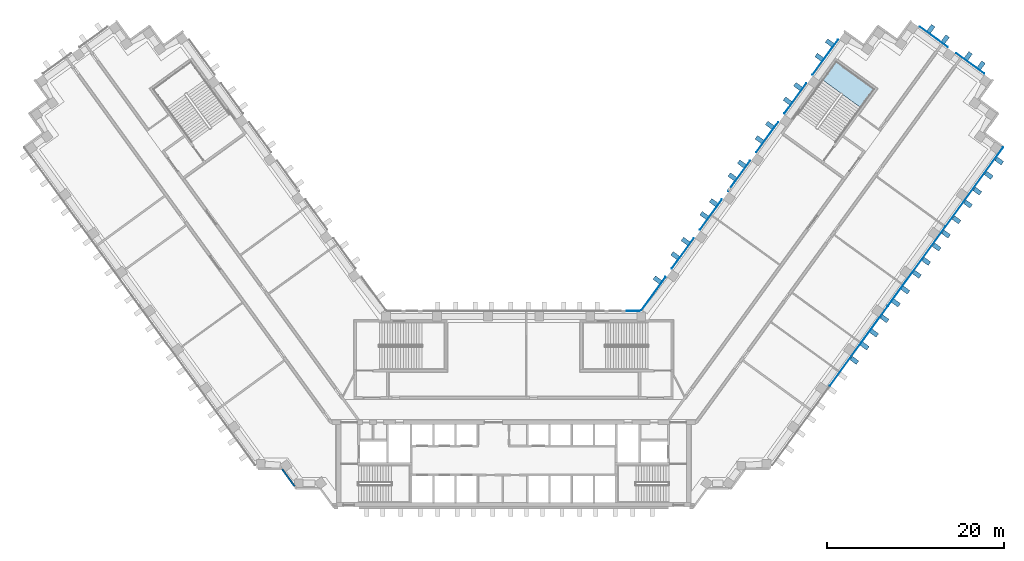
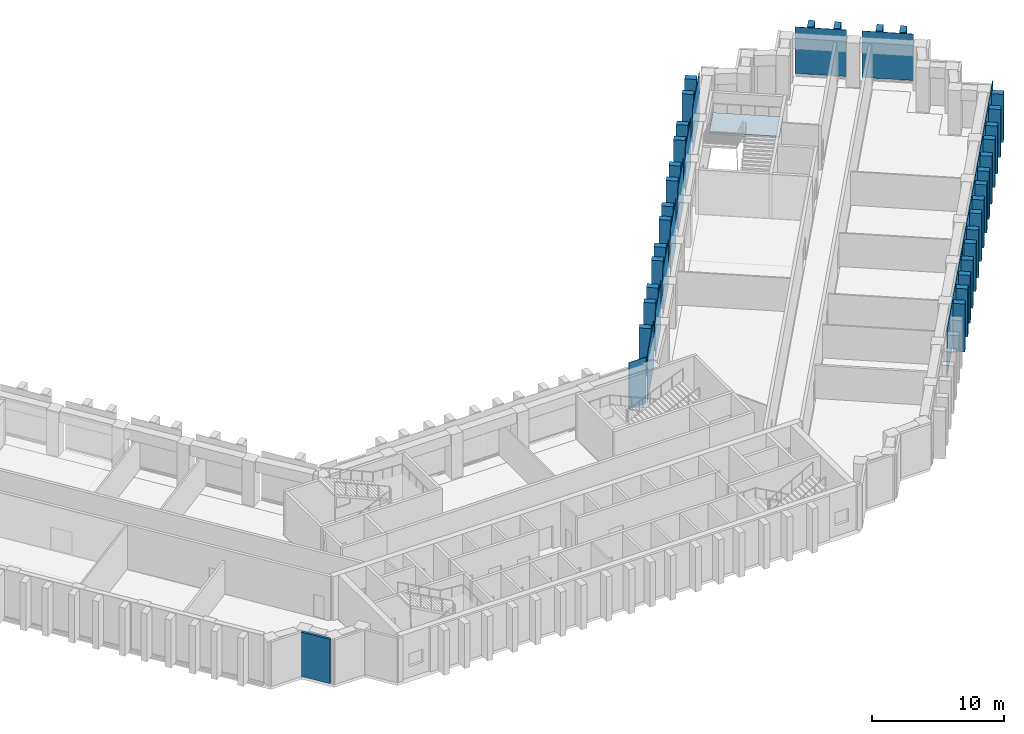
"""IFC4 building model written with IfcOpenShell, lengths in metres."""

import ifcopenshell
import ifcopenshell.guid

model = None  # the IFC model being written
_history = None  # IfcOwnerHistory: only IFC2X3 demands one
_inside = {}  # id of a spatial element -> (the spatial element, [elements in it])
_under = {}  # id of a project, library or spatial element -> (it, [spatial elements below it])
_declared = {}  # id of a project -> (the project, [libraries it declares])
_typed = {}  # id of a type object -> (the type object, [elements of that type])
_made_of = {}  # id of a material, layer set ... -> (it, [elements and type objects made of it])


def new_model(schema):
    """Start an empty IFC model of exactly this schema.

    Asked for "IFC4X3", IfcOpenShell would pick the latest addendum, in which some entities
    have other attributes; the version numbers below select the first issue.
    IFC2X3 requires an IfcOwnerHistory on every rooted entity: one is made here for all.
    """
    global model, _history
    if schema == "IFC4X3":
        model = ifcopenshell.file(schema_version=(4, 3, 0, 0))
    else:
        model = ifcopenshell.file(schema=schema)
    _inside.clear()
    _under.clear()
    _declared.clear()
    _typed.clear()
    _made_of.clear()
    _history = None
    if model.schema == "IFC2X3":
        org = make("IfcOrganization", Name="unknown")
        user = make(
            "IfcPersonAndOrganization",
            ThePerson=make("IfcPerson", FamilyName="unknown"),
            TheOrganization=org,
        )
        app = make(
            "IfcApplication",
            ApplicationDeveloper=org,
            Version="unknown",
            ApplicationFullName="unknown",
            ApplicationIdentifier="unknown",
        )
        _history = make(
            "IfcOwnerHistory",
            OwningUser=user,
            OwningApplication=app,
            ChangeAction="ADDED",
            CreationDate=0,
        )
    return model


def make(cls, **values):
    """One entity of the class cls with the attributes given. An attribute that is None is left unset."""
    return model.create_entity(
        cls, **{name: value for name, value in values.items() if value is not None}
    )


def rooted(cls, **values):
    """An entity with a GlobalId (a new one), such as an element, a storey or a relation."""
    return make(cls, GlobalId=ifcopenshell.guid.new(), OwnerHistory=_history, **values)


def si_unit(unit_type, name, prefix=None):
    """IfcSIUnit, for example si_unit("LENGTHUNIT", "METRE", prefix="MILLI")."""
    return make("IfcSIUnit", UnitType=unit_type, Prefix=prefix, Name=name)


def assignment(units):
    """IfcUnitAssignment: the units of a project."""
    return None if units is None else make("IfcUnitAssignment", Units=units)


def point(xyz):
    """IfcCartesianPoint."""
    return None if xyz is None else make("IfcCartesianPoint", Coordinates=xyz)


def direction(xyz):
    """IfcDirection."""
    return None if xyz is None else make("IfcDirection", DirectionRatios=xyz)


def frame(location, z_axis=None, x_axis=None):
    """IfcAxis2Placement3D, a coordinate frame: its origin and axes. An axis left out is left unset."""
    return make(
        "IfcAxis2Placement3D",
        Location=point(location),
        Axis=direction(z_axis),
        RefDirection=direction(x_axis),
    )


def frame_2d(location, x_axis=None):
    """IfcAxis2Placement2D, a coordinate frame in the plane: its origin and x axis."""
    return make(
        "IfcAxis2Placement2D", Location=point(location), RefDirection=direction(x_axis)
    )


def origin():
    """The frame at (0, 0, 0) with its axes left unset."""
    return frame((0.0, 0.0, 0.0))


def origin_2d():
    """The frame at (0, 0) in the plane with its x axis left unset."""
    return frame_2d((0.0, 0.0))


def place(relative_to, where):
    """IfcLocalPlacement: puts the frame where relative to a parent placement (None: the world)."""
    return make(
        "IfcLocalPlacement", PlacementRelTo=relative_to, RelativePlacement=where
    )


def context(
    kind, dimensions, precision=None, world=None, true_north=None, identifier=None
):
    """IfcGeometricRepresentationContext, for example the 3D "Model" context."""
    return make(
        "IfcGeometricRepresentationContext",
        ContextIdentifier=identifier,
        ContextType=kind,
        CoordinateSpaceDimension=dimensions,
        Precision=precision,
        WorldCoordinateSystem=world,
        TrueNorth=true_north,
    )


def subcontext(parent, identifier, kind, view, scale=None):
    """IfcGeometricRepresentationSubContext, for example "Body" below "Model"."""
    return make(
        "IfcGeometricRepresentationSubContext",
        ContextIdentifier=identifier,
        ContextType=kind,
        ParentContext=parent,
        TargetScale=scale,
        TargetView=view,
    )


def project(units=None, contexts=None):
    """IfcProject with its units and contexts."""
    return rooted(
        "IfcProject",
        Name="project",
        RepresentationContexts=contexts,
        UnitsInContext=assignment(units),
    )


def spatial(cls, under=None, at=None, **own):
    """A site, building, storey or space (cls), placed at a placement, below another one or the project."""
    s = rooted(cls, ObjectPlacement=at, **own)
    if under is not None:
        _under.setdefault(under.id(), (under, []))[1].append(s)
    return s


def polyline(points):
    """IfcPolyline through the points."""
    return make("IfcPolyline", Points=[point(p) for p in points])


def profile(cls, at=None, kind="AREA", **sizes):
    """A parametric profile (cls). Its sizes go by their IFC names, for example OverallWidth=200.0."""
    return make(cls, ProfileType=kind, Position=at, **sizes)


def rectangle(**sizes):
    """IfcRectangleProfileDef."""
    return profile("IfcRectangleProfileDef", **sizes)


def outline(outer, holes=None, kind="AREA"):
    """IfcArbitraryClosedProfileDef: a profile drawn as a closed curve; with holes, ...WithVoids."""
    if holes is None:
        return make("IfcArbitraryClosedProfileDef", ProfileType=kind, OuterCurve=outer)
    return make(
        "IfcArbitraryProfileDefWithVoids",
        ProfileType=kind,
        OuterCurve=outer,
        InnerCurves=holes,
    )


def extrude(swept, where, along, depth):
    """IfcExtrudedAreaSolid: the profile swept, set in the frame where, extruded along a direction by depth."""
    return make(
        "IfcExtrudedAreaSolid",
        SweptArea=swept,
        Position=where,
        ExtrudedDirection=direction(along),
        Depth=depth,
    )


def shape(context_of_items, identifier, shape_type, items):
    """IfcShapeRepresentation: the items that make up one representation, for example the "Body"."""
    return make(
        "IfcShapeRepresentation",
        ContextOfItems=context_of_items,
        RepresentationIdentifier=identifier,
        RepresentationType=shape_type,
        Items=items,
    )


def material(Name=None, Category=None):
    """IfcMaterial."""
    return make("IfcMaterial", Name=Name, Category=Category)


def layer(
    of_material, thickness, ventilated=None, Name=None, Category=None, Priority=None
):
    """IfcMaterialLayer: one layer of a wall or slab, of a material (None: an air gap)."""
    return make(
        "IfcMaterialLayer",
        Material=of_material,
        LayerThickness=thickness,
        IsVentilated=ventilated,
        Name=Name,
        Category=Category,
        Priority=Priority,
    )


def layer_set(layers, Name=None):
    """IfcMaterialLayerSet."""
    return make("IfcMaterialLayerSet", MaterialLayers=layers, LayerSetName=Name)


def made_of(thing, what):
    """Note that an element or type object is made of a material, layer set ...; save() writes the relation."""
    if what is not None:
        _made_of.setdefault(what.id(), (what, []))[1].append(thing)
    return thing


def type_object(cls, material=None, **own):
    """A type object (cls), such as IfcWallType, which elements share."""
    return made_of(rooted(cls, **own), material)


def element(
    cls,
    number,
    at=None,
    inside=None,
    cuts=None,
    type_object=None,
    material=None,
    context=None,
    identifier="Body",
    shape_type=None,
    held_by="IfcProductDefinitionShape",
    body=None,
    shapes=None,
    **own,
):
    """One element of the class cls, such as IfcWall. Its Tag is "e" and its number.

    at: its placement. inside: the storey or other place that contains it. cuts: it is an
    opening in that element (IfcRelVoidsElement). A single representation is given by context,
    identifier, shape_type and body (its items); several are given by shapes. held_by: the class
    of the entity that holds the representations. save() writes the other relations.
    """
    e = rooted(cls, Tag="e%d" % number, ObjectPlacement=at, **own)
    if body is not None:
        shapes = [shape(context, identifier, shape_type, body)]
    if shapes is not None:
        e.Representation = make(held_by, Representations=shapes)
    if inside is not None:
        _inside.setdefault(inside.id(), (inside, []))[1].append(e)
    if cuts is not None:
        rooted(
            "IfcRelVoidsElement", RelatingBuildingElement=cuts, RelatedOpeningElement=e
        )
    if type_object is not None:
        _typed.setdefault(type_object.id(), (type_object, []))[1].append(e)
    return made_of(e, material)


def aggregate(whole, parts):
    """IfcRelAggregates: a whole, such as a stair, and the parts it consists of."""
    return rooted("IfcRelAggregates", RelatingObject=whole, RelatedObjects=parts)


def save(model, path):
    """Write the relations noted so far, then the file.

    IfcRelAggregates (storeys below a building ...), IfcRelContainedInSpatialStructure (elements
    in a storey), IfcRelDefinesByType, IfcRelAssociatesMaterial and IfcRelDeclares: one each for
    every whole, place, type object, material and project.
    """
    for whole, parts in _under.values():
        aggregate(whole, parts)
    for where, things in _inside.values():
        rooted(
            "IfcRelContainedInSpatialStructure",
            RelatedElements=things,
            RelatingStructure=where,
        )
    for kind, things in _typed.values():
        rooted("IfcRelDefinesByType", RelatedObjects=things, RelatingType=kind)
    for what, things in _made_of.values():
        rooted("IfcRelAssociatesMaterial", RelatedObjects=things, RelatingMaterial=what)
    for by, libraries in _declared.values():
        rooted("IfcRelDeclares", RelatingContext=by, RelatedDefinitions=libraries)
    model.write(path)


model = new_model("IFC4")

# Units and contexts
model_context = context("Model", 3, precision=1e-05, world=origin(), true_north=direction((0.0, 1.0)))
body_context = subcontext(model_context, "Body", "Model", "MODEL_VIEW")
ifc_project = project(units=[si_unit("LENGTHUNIT", "METRE"), si_unit("AREAUNIT", "SQUARE_METRE"), si_unit("VOLUMEUNIT", "CUBIC_METRE"), si_unit("PLANEANGLEUNIT", "RADIAN"), si_unit("MASSUNIT", "GRAM", prefix="KILO")], contexts=[model_context])

# Site, building, storey
site_placement = place(None, origin())
site = spatial("IfcSite", under=ifc_project, at=site_placement, CompositionType="ELEMENT")
building_placement = place(site_placement, origin())
building = spatial("IfcBuilding", under=site, at=building_placement, Name="Quipu Civic Tower", CompositionType="ELEMENT")
storey_1_placement = place(building_placement, frame((0.0, 0.0, 16.0)))
storey_1 = spatial("IfcBuildingStorey", under=building, at=storey_1_placement, Name="L03", CompositionType="ELEMENT", Elevation=16.0)

# Curtain wall
ifc_material_1 = material(Name="Insulated glass unit", Category="glass")
curtain_wall_type = type_object("IfcCurtainWallType", Name="Public services curtain wall CW3", PredefinedType="NOTDEFINED", material=ifc_material_1)
curtain_wall_1_placement = place(storey_1_placement, origin())
curtain_wall_1 = element("IfcCurtainWall", 1, at=curtain_wall_1_placement, inside=storey_1, type_object=curtain_wall_type, Name="Public services curtain wall CW3 L02 run 32", PredefinedType="NOTDEFINED")

# Storey
storey_2_placement = place(building_placement, frame((0.0, 0.0, 11.5)))
storey_2 = spatial("IfcBuildingStorey", under=building, at=storey_2_placement, Name="L02", CompositionType="ELEMENT", Elevation=11.5)

# Plate
ifc_material_2 = material(Name="Insulated glass unit", Category="glass")
ifc_layer_1 = layer(ifc_material_2, 0.031982421875)
ifc_layer_set_1 = layer_set([ifc_layer_1], Name="Insulated glass unit")
plate_type_1 = type_object("IfcPlateType", Name="Glass panel CW3", PredefinedType="CURTAIN_PANEL", material=ifc_layer_set_1)
plate_1_placement = place(storey_2_placement, frame((38.911376953125, 7.14501953125, 0.2099609375), z_axis=(0.0, 0.0, 1.0), x_axis=(0.587785356329, 0.809016918788, 0.0)))
plate_1 = element("IfcPlate", 2, at=plate_1_placement, inside=storey_2, type_object=plate_type_1, Name="CW3 panel 2.1", PredefinedType="CURTAIN_PANEL", context=body_context, shape_type="SweptSolid", body=[
    extrude(rectangle(XDim=11.021484375, YDim=0.031982421875, at=origin_2d()), origin(), (0.0, 0.0, 1.0), 4.2900390625),
])

plate_2_placement = place(storey_2_placement, frame((45.448486328125, 16.142333984375, 0.2099609375), z_axis=(0.0, 0.0, 1.0), x_axis=(0.587785356329, 0.809016918788, 0.0)))
plate_2 = element("IfcPlate", 3, at=plate_2_placement, inside=storey_2, type_object=plate_type_1, Name="CW3 panel 3.1", PredefinedType="CURTAIN_PANEL", context=body_context, shape_type="SweptSolid", body=[
    extrude(rectangle(XDim=11.021484375, YDim=0.031982421875, at=origin_2d()), origin(), (0.0, 0.0, 1.0), 4.2900390625),
])

plate_3_placement = place(storey_2_placement, frame((51.970947265625, 25.11962890625, 0.2099609375), z_axis=(0.0, 0.0, 1.0), x_axis=(0.587785356329, 0.809016918788, 0.0)))
plate_3 = element("IfcPlate", 4, at=plate_3_placement, inside=storey_2, type_object=plate_type_1, Name="CW3 panel 4.1", PredefinedType="CURTAIN_PANEL", context=body_context, shape_type="SweptSolid", body=[
    extrude(rectangle(XDim=10.971435546875, YDim=0.031982421875, at=origin_2d()), origin(), (0.0, 0.0, 1.0), 4.2900390625),
])

aggregate(curtain_wall_1, [plate_1, plate_2, plate_3])

# Curtain wall, plate
curtain_wall_2_placement = place(storey_1_placement, origin())
curtain_wall_2 = element("IfcCurtainWall", 5, at=curtain_wall_2_placement, inside=storey_1, type_object=curtain_wall_type, Name="Public services curtain wall CW3 L02 run 37", PredefinedType="NOTDEFINED")
plate_4_placement = place(storey_2_placement, frame((51.51025390625, 39.033447265625, 0.2099609375), z_axis=(0.0, 0.0, 1.0), x_axis=(-0.809014568883, 0.587788590681, 0.0)))
plate_4 = element("IfcPlate", 6, at=plate_4_placement, inside=storey_2, type_object=plate_type_1, Name="CW3 panel 1.1", PredefinedType="CURTAIN_PANEL", context=body_context, shape_type="SweptSolid", body=[
    extrude(rectangle(XDim=3.898193359375, YDim=0.031982421875, at=origin_2d()), origin(), (0.0, 0.0, 1.0), 4.2900390625),
])
aggregate(curtain_wall_2, [plate_4])

curtain_wall_3_placement = place(storey_1_placement, origin())
curtain_wall_3 = element("IfcCurtainWall", 7, at=curtain_wall_3_placement, inside=storey_1, type_object=curtain_wall_type, Name="Public services curtain wall CW3 L02 run 38", PredefinedType="NOTDEFINED")
plate_5_placement = place(storey_2_placement, frame((47.385009765625, 42.03076171875, 0.2099609375), z_axis=(0.0, 0.0, 1.0), x_axis=(-0.809030241342, 0.587767018974, 0.0)))
plate_5 = element("IfcPlate", 8, at=plate_5_placement, inside=storey_2, type_object=plate_type_1, Name="CW3 panel 1.1", PredefinedType="CURTAIN_PANEL", context=body_context, shape_type="SweptSolid", body=[
    extrude(rectangle(XDim=3.900146484375, YDim=0.031982421875, at=origin_2d()), origin(), (0.0, 0.0, 1.0), 4.2900390625),
])
aggregate(curtain_wall_3, [plate_5])

curtain_wall_4_placement = place(storey_1_placement, origin())
curtain_wall_4 = element("IfcCurtainWall", 9, at=curtain_wall_4_placement, inside=storey_1, type_object=curtain_wall_type, Name="Public services curtain wall CW3 L02 run 43", PredefinedType="NOTDEFINED")
plate_6_placement = place(storey_2_placement, frame((35.149658203125, 39.736328125, 0.2099609375), z_axis=(0.0, 0.0, 1.0), x_axis=(-0.587782980465, -0.809018644949, 0.0)))
plate_6 = element("IfcPlate", 10, at=plate_6_placement, inside=storey_2, type_object=plate_type_1, Name="CW3 panel 1.1", PredefinedType="CURTAIN_PANEL", context=body_context, shape_type="SweptSolid", body=[
    extrude(rectangle(XDim=4.89453125, YDim=0.031982421875, at=origin_2d()), origin(), (0.0, 0.0, 1.0), 4.2900390625),
])
aggregate(curtain_wall_4, [plate_6])

curtain_wall_5_placement = place(storey_1_placement, origin())
curtain_wall_5 = element("IfcCurtainWall", 11, at=curtain_wall_5_placement, inside=storey_1, type_object=curtain_wall_type, Name="Public services curtain wall CW3 L02 run 44", PredefinedType="NOTDEFINED")
plate_7_placement = place(storey_2_placement, frame((31.771484375, 35.086669921875, 0.2099609375), z_axis=(0.0, 0.0, 1.0), x_axis=(-0.587789203544, -0.809014123608, 0.0)))
plate_7 = element("IfcPlate", 12, at=plate_7_placement, inside=storey_2, type_object=plate_type_1, Name="CW3 panel 1.1", PredefinedType="CURTAIN_PANEL", context=body_context, shape_type="SweptSolid", body=[
    extrude(rectangle(XDim=4.199951171875, YDim=0.031982421875, at=origin_2d()), origin(), (0.0, 0.0, 1.0), 4.2900390625),
])
aggregate(curtain_wall_5, [plate_7])

curtain_wall_6_placement = place(storey_1_placement, origin())
curtain_wall_6 = element("IfcCurtainWall", 13, at=curtain_wall_6_placement, inside=storey_1, type_object=curtain_wall_type, Name="Public services curtain wall CW3 L02 run 45", PredefinedType="NOTDEFINED")
plate_8_placement = place(storey_2_placement, frame((28.597412109375, 30.718017578125, 0.2099609375), z_axis=(0.0, 0.0, 1.0), x_axis=(-0.587785135859, -0.809017078969, 0.0)))
plate_8 = element("IfcPlate", 14, at=plate_8_placement, inside=storey_2, type_object=plate_type_1, Name="CW3 panel 1.1", PredefinedType="CURTAIN_PANEL", context=body_context, shape_type="SweptSolid", body=[
    extrude(rectangle(XDim=4.199951171875, YDim=0.031982421875, at=origin_2d()), origin(), (0.0, 0.0, 1.0), 4.2900390625),
])
aggregate(curtain_wall_6, [plate_8])

curtain_wall_7_placement = place(storey_1_placement, origin())
curtain_wall_7 = element("IfcCurtainWall", 15, at=curtain_wall_7_placement, inside=storey_1, type_object=curtain_wall_type, Name="Public services curtain wall CW3 L02 run 46", PredefinedType="NOTDEFINED")
plate_9_placement = place(storey_2_placement, frame((25.42333984375, 26.349365234375, 0.2099609375), z_axis=(0.0, 0.0, 1.0), x_axis=(-0.587789203544, -0.809014123608, 0.0)))
plate_9 = element("IfcPlate", 16, at=plate_9_placement, inside=storey_2, type_object=plate_type_1, Name="CW3 panel 1.1", PredefinedType="CURTAIN_PANEL", context=body_context, shape_type="SweptSolid", body=[
    extrude(rectangle(XDim=4.199951171875, YDim=0.031982421875, at=origin_2d()), origin(), (0.0, 0.0, 1.0), 4.2900390625),
])
aggregate(curtain_wall_7, [plate_9])

curtain_wall_8_placement = place(storey_1_placement, origin())
curtain_wall_8 = element("IfcCurtainWall", 17, at=curtain_wall_8_placement, inside=storey_1, type_object=curtain_wall_type, Name="Public services curtain wall CW3 L02 run 47", PredefinedType="NOTDEFINED")
plate_10_placement = place(storey_2_placement, frame((22.24951171875, 21.98046875, 0.2099609375), z_axis=(0.0, 0.0, 1.0), x_axis=(-0.587774328321, -0.809024930992, 0.0)))
plate_10 = element("IfcPlate", 18, at=plate_10_placement, inside=storey_2, type_object=plate_type_1, Name="CW3 panel 1.1", PredefinedType="CURTAIN_PANEL", context=body_context, shape_type="SweptSolid", body=[
    extrude(rectangle(XDim=4.199951171875, YDim=0.031982421875, at=origin_2d()), origin(), (0.0, 0.0, 1.0), 4.2900390625),
])
aggregate(curtain_wall_8, [plate_10])

curtain_wall_9_placement = place(storey_1_placement, origin())
curtain_wall_9 = element("IfcCurtainWall", 19, at=curtain_wall_9_placement, inside=storey_1, type_object=curtain_wall_type, Name="Public services curtain wall CW3 L02 run 48", PredefinedType="NOTDEFINED")
plate_11_placement = place(storey_2_placement, frame((19.075439453125, 17.61181640625, 0.2099609375), z_axis=(0.0, 0.0, 1.0), x_axis=(-0.587800011079, -0.809006271283, 0.0)))
plate_11 = element("IfcPlate", 20, at=plate_11_placement, inside=storey_2, type_object=plate_type_1, Name="CW3 panel 1.1", PredefinedType="CURTAIN_PANEL", context=body_context, shape_type="SweptSolid", body=[
    extrude(rectangle(XDim=4.199951171875, YDim=0.031982421875, at=origin_2d()), origin(), (0.0, 0.0, 1.0), 4.2900390625),
])
aggregate(curtain_wall_9, [plate_11])

curtain_wall_10_placement = place(storey_1_placement, origin())
curtain_wall_10 = element("IfcCurtainWall", 21, at=curtain_wall_10_placement, inside=storey_1, type_object=curtain_wall_type, Name="Public services curtain wall CW3 L02 run 49", PredefinedType="NOTDEFINED")
plate_12_placement = place(storey_2_placement, frame((15.769287109375, 13.0615234375, 0.2099609375), z_axis=(0.0, 0.0, 1.0), x_axis=(-0.587795194797, -0.809009770629, 0.0)))
plate_12 = element("IfcPlate", 22, at=plate_12_placement, inside=storey_2, type_object=plate_type_1, Name="CW3 panel 1.1", PredefinedType="CURTAIN_PANEL", context=body_context, shape_type="SweptSolid", body=[
    extrude(rectangle(XDim=4.649169921875, YDim=0.031982421875, at=origin_2d()), origin(), (0.0, 0.0, 1.0), 4.2900390625),
])
aggregate(curtain_wall_10, [plate_12])

curtain_wall_11_placement = place(storey_1_placement, origin())
curtain_wall_11 = element("IfcCurtainWall", 23, at=curtain_wall_11_placement, inside=storey_1, type_object=curtain_wall_type, Name="Public services curtain wall CW3 L02 run 50", PredefinedType="NOTDEFINED")
plate_13_placement = place(storey_2_placement, frame((13.49951171875, 11.10009765625, 0.2099609375), z_axis=(0.0, 0.0, 1.0), x_axis=(-1.0, 0.0, 0.0)))
plate_13 = element("IfcPlate", 24, at=plate_13_placement, inside=storey_2, type_object=plate_type_1, Name="CW3 panel 1.1", PredefinedType="CURTAIN_PANEL", context=body_context, shape_type="SweptSolid", body=[
    extrude(rectangle(XDim=1.4892578125, YDim=0.031982421875, at=origin_2d()), origin(), (0.0, 0.0, 1.0), 4.2900390625),
])
aggregate(curtain_wall_11, [plate_13])

# Plates
ifc_material_3 = material(Name="Precast concrete C40/50", Category="concrete")
plate_type_2 = type_object("IfcPlateType", Name="Precast fin F0", PredefinedType="SHEET", material=ifc_material_3)
for number, where, z_axis, x_axis, name in (
    (25, (38.426025390625, 5.541015625, 0.06982421875), (0.0, 0.0, 1.0), (0.587785716149, 0.809016657363, 0.0), "Precast fin F0 L02.32.8"),
    (26, (39.6015625, 7.1591796875, 0.06982421875), (0.0, 0.0, 1.0), (0.587785716149, 0.809016657363, 0.0), "Precast fin F0 L02.32.9"),
    (27, (40.65966796875, 8.615234375, 0.06982421875), (0.0, 0.0, 1.0), (0.587785716149, 0.809016657363, 0.0), "Precast fin F0 L02.32.10"),
    (28, (41.835205078125, 10.2333984375, 0.06982421875), (0.0, 0.0, 1.0), (0.587785716149, 0.809016657363, 0.0), "Precast fin F0 L02.32.11"),
    (29, (43.12841796875, 12.01318359375, 0.06982421875), (0.0, 0.0, 1.0), (0.587785716149, 0.809016657363, 0.0), "Precast fin F0 L02.32.12"),
    (30, (44.186279296875, 13.469482421875, 0.06982421875), (0.0, 0.0, 1.0), (0.587785716149, 0.809016657363, 0.0), "Precast fin F0 L02.32.13"),
    (31, (45.4794921875, 15.249267578125, 0.06982421875), (0.0, 0.0, 1.0), (0.587785716149, 0.809016657363, 0.0), "Precast fin F0 L02.32.14"),
    (32, (46.537353515625, 16.70556640625, 0.06982421875), (0.0, 0.0, 1.0), (0.587785716149, 0.809016657363, 0.0), "Precast fin F0 L02.32.15"),
    (33, (47.713134765625, 18.323486328125, 0.06982421875), (0.0, 0.0, 1.0), (0.587785716149, 0.809016657363, 0.0), "Precast fin F0 L02.32.16"),
    (34, (48.77099609375, 19.77978515625, 0.06982421875), (0.0, 0.0, 1.0), (0.587785716149, 0.809016657363, 0.0), "Precast fin F0 L02.32.17"),
    (35, (49.946533203125, 21.397705078125, 0.06982421875), (0.0, 0.0, 1.0), (0.587785716149, 0.809016657363, 0.0), "Precast fin F0 L02.32.18"),
    (36, (51.23974609375, 23.177734375, 0.06982421875), (0.0, 0.0, 1.0), (0.587785716149, 0.809016657363, 0.0), "Precast fin F0 L02.32.19"),
    (37, (52.2978515625, 24.6337890625, 0.06982421875), (0.0, 0.0, 1.0), (0.587785716149, 0.809016657363, 0.0), "Precast fin F0 L02.32.20"),
    (38, (53.5908203125, 26.413818359375, 0.06982421875), (0.0, 0.0, 1.0), (0.587785716149, 0.809016657363, 0.0), "Precast fin F0 L02.32.21"),
    (39, (54.766357421875, 28.03173828125, 0.06982421875), (0.0, 0.0, 1.0), (0.587785716149, 0.809016657363, 0.0), "Precast fin F0 L02.32.22"),
    (40, (52.73828125, 38.821044921875, 0.06982421875), (0.0, 0.0, 1.0), (-0.809021318545, 0.587779300537, 0.0), "Precast fin F0 L02.37.1"),
    (41, (51.281982421875, 39.879150390625, 0.06982421875), (0.0, 0.0, 1.0), (-0.809021318545, 0.587779300537, 0.0), "Precast fin F0 L02.37.2"),
    (42, (48.686279296875, 41.76513671875, 0.06982421875), (0.0, 0.0, 1.0), (-0.809021318545, 0.587779300537, 0.0), "Precast fin F0 L02.38.1"),
    (43, (47.068115234375, 42.940673828125, 0.06982421875), (0.0, 0.0, 1.0), (-0.809021318545, 0.587779300537, 0.0), "Precast fin F0 L02.38.2"),
    (44, (35.64453125, 41.35302734375, 0.06982421875), (0.0, 0.0, 1.0), (-0.587784944053, -0.809017218324, 0.0), "Precast fin F0 L02.43.1"),
    (45, (34.468994140625, 39.73486328125, 0.06982421875), (0.0, 0.0, 1.0), (-0.587784944053, -0.809017218324, 0.0), "Precast fin F0 L02.43.2"),
    (46, (32.066650390625, 36.428466796875, 0.06982421875), (0.0, 0.0, 1.0), (-0.587784944053, -0.809017218324, 0.0), "Precast fin F0 L02.44.1"),
    (47, (30.89111328125, 34.810546875, 0.06982421875), (0.0, 0.0, 1.0), (-0.587784944053, -0.809017218324, 0.0), "Precast fin F0 L02.44.2"),
    (48, (28.896484375, 32.065185546875, 0.06982421875), (0.0, 0.0, 1.0), (-0.587784944053, -0.809017218324, 0.0), "Precast fin F0 L02.45.1"),
    (49, (27.720947265625, 30.447265625, 0.06982421875), (0.0, 0.0, 1.0), (-0.587784944053, -0.809017218324, 0.0), "Precast fin F0 L02.45.2"),
    (50, (25.7265625, 27.7021484375, 0.06982421875), (0.0, 0.0, 1.0), (-0.587784944053, -0.809017218324, 0.0), "Precast fin F0 L02.46.1"),
    (51, (24.66845703125, 26.245849609375, 0.06982421875), (0.0, 0.0, 1.0), (-0.587784944053, -0.809017218324, 0.0), "Precast fin F0 L02.46.2"),
    (52, (22.556396484375, 23.3388671875, 0.06982421875), (0.0, 0.0, 1.0), (-0.587784944053, -0.809017218324, 0.0), "Precast fin F0 L02.47.1"),
    (53, (21.49853515625, 21.882568359375, 0.06982421875), (0.0, 0.0, 1.0), (-0.587784944053, -0.809017218324, 0.0), "Precast fin F0 L02.47.2"),
    (54, (19.386474609375, 18.9755859375, 0.06982421875), (0.0, 0.0, 1.0), (-0.587784944053, -0.809017218324, 0.0), "Precast fin F0 L02.48.1"),
    (55, (18.2109375, 17.357666015625, 0.06982421875), (0.0, 0.0, 1.0), (-0.587784944053, -0.809017218324, 0.0), "Precast fin F0 L02.48.2"),
    (56, (16.21630859375, 14.612548828125, 0.06982421875), (0.0, 0.0, 1.0), (-0.587784944053, -0.809017218324, 0.0), "Precast fin F0 L02.49.1"),
):
    element("IfcPlate", number, at=place(storey_2_placement, frame(where, z_axis=z_axis, x_axis=x_axis)), inside=storey_2, type_object=plate_type_2, Name=name, PredefinedType="SHEET", context=body_context, shape_type="SweptSolid", body=[
        extrude(rectangle(XDim=0.5, YDim=0.89990234375, at=origin_2d()), origin(), (0.0, 0.0, 1.0), 4.429931640625),
    ])

# Stair, slab
ifc_material_4 = material(Name="Concrete C40/50", Category="concrete")
stair_type = type_object("IfcStairType", Name="Half turn stair 2600", PredefinedType="HALF_TURN_STAIR", material=ifc_material_4)
stair_placement = place(storey_2_placement, origin())
stair = element("IfcStair", 57, at=stair_placement, inside=storey_2, type_object=stair_type, Name="Exit stair 7", PredefinedType="HALF_TURN_STAIR")
ifc_material_5 = material(Name="Concrete C40/50", Category="concrete")
ifc_layer_2 = layer(ifc_material_5, 0.199951171875)
ifc_layer_set_2 = layer_set([ifc_layer_2], Name="Concrete C40/50")
slab_type = type_object("IfcSlabType", Name="Stair landing 200", PredefinedType="LANDING", material=ifc_layer_set_2)
slab_placement = place(storey_2_placement, frame((0.0, 0.0, 2.050048828125)))
slab = element("IfcSlab", 58, at=slab_placement, type_object=slab_type, Name="ST-7 landing 1", PredefinedType="LANDING", context=body_context, shape_type="SweptSolid", body=[
    extrude(outline(polyline([(39.16552734375, 34.034912109375), (40.69384765625, 36.138427734375), (36.365478515625, 39.282958984375), (34.837158203125, 37.179443359375), (39.16552734375, 34.034912109375)])), origin(), (0.0, 0.0, 1.0), 0.199951171875),
])
aggregate(stair, [slab])

# Wall
ifc_material_6 = material(Name="Precast concrete C40/50", Category="concrete")
wall_type = type_object("IfcWallType", Name="Precast cladding wall", PredefinedType="SOLIDWALL", material=ifc_material_6)
wall_placement = place(storey_2_placement, frame((-26.1201171875, -6.72412109375, 0.0), z_axis=(0.0, 0.0, 1.0), x_axis=(0.587706476352, -0.809074222587, 0.0)))
element("IfcWall", 59, at=wall_placement, inside=storey_2, type_object=wall_type, Name="Precast cladding wall L02 20", PredefinedType="SOLIDWALL", context=body_context, shape_type="SweptSolid", body=[
    extrude(rectangle(XDim=2.403076171875, YDim=0.199951171875, at=frame_2d((1.20166015625, 0.0))), origin(), (0.0, 0.0, 1.0), 4.10009765625),
])

save(model, "model.ifc")
